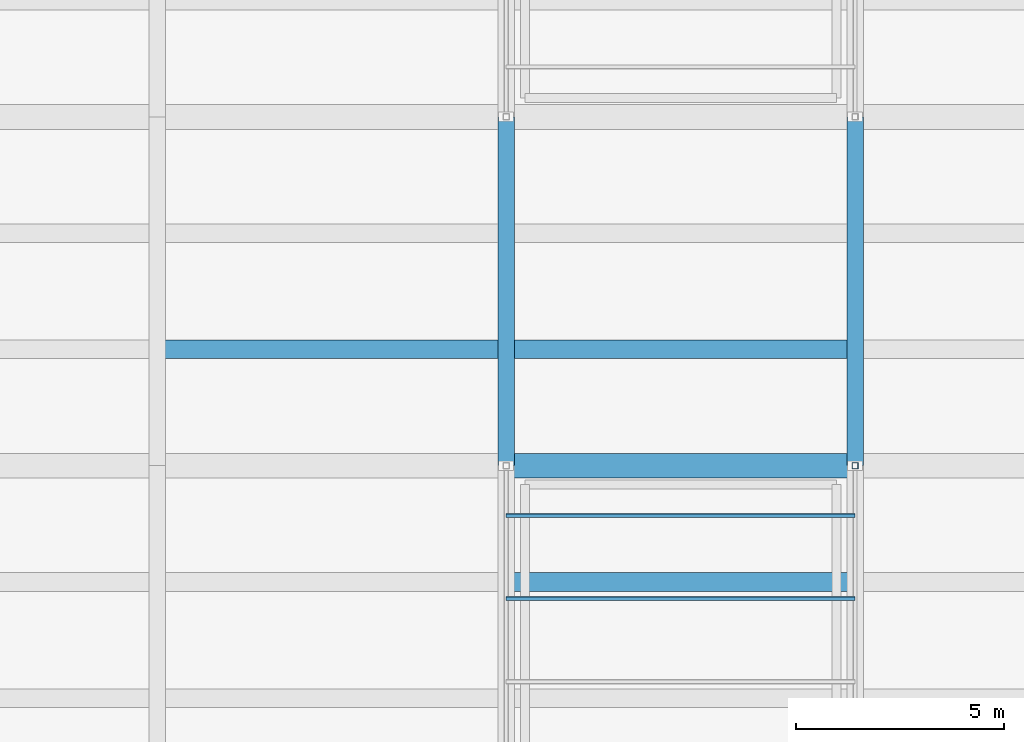
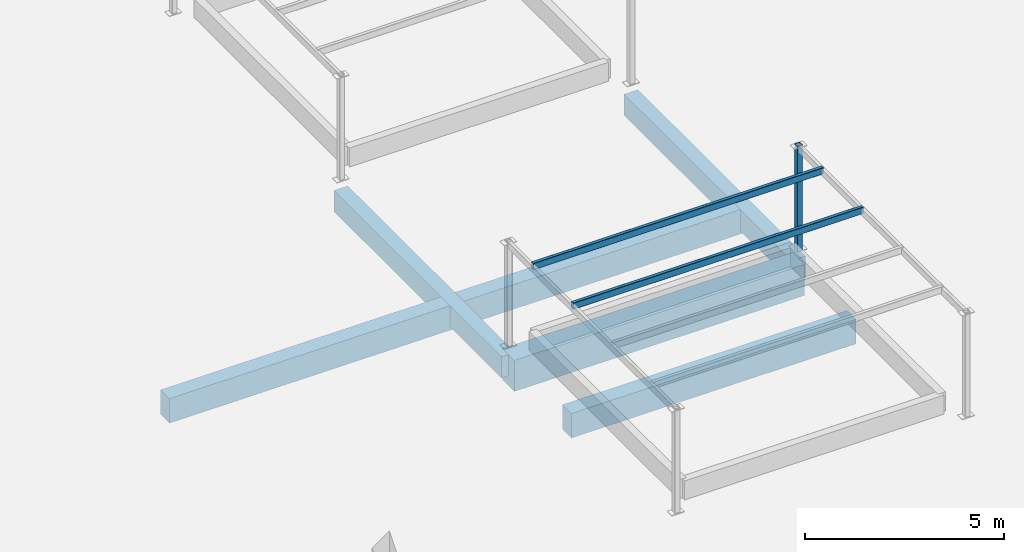
# One storey, part 12 of 129: 6 beams, 3 members.
"""IFC4 building model written with IfcOpenShell, lengths in metres."""

from ifc_helpers import new_model, si_unit, direction, frame, origin, origin_2d, place, context, subcontext, project, spatial, rectangle, hollow_rectangle, extrude, material, material_profile, profile_set, type_object, element, save


model = new_model("IFC4")

# Units and contexts
model_context = context("Model", 3, precision=1e-05, world=origin(), true_north=direction((0.0, 1.0)))
body_context = subcontext(model_context, "Body", "Model", "MODEL_VIEW")
ifc_project = project(units=[si_unit("LENGTHUNIT", "METRE"), si_unit("AREAUNIT", "SQUARE_METRE"), si_unit("VOLUMEUNIT", "CUBIC_METRE"), si_unit("PLANEANGLEUNIT", "RADIAN"), si_unit("MASSUNIT", "GRAM", prefix="KILO")], contexts=[model_context])

# Site, building, storey
site_placement = place(None, origin())
site = spatial("IfcSite", under=ifc_project, at=site_placement, CompositionType="ELEMENT")
building_placement = place(site_placement, origin())
building = spatial("IfcBuilding", under=site, at=building_placement, Name="Varnapada Polytechnic", CompositionType="ELEMENT")
storey_placement = place(building_placement, origin())
storey = spatial("IfcBuildingStorey", under=building, at=storey_placement, Name="L00", CompositionType="ELEMENT", Elevation=0.0)

# Beams
ifc_material_1 = material(Name="Concrete C40/50", Category="concrete")
ifc_material_profile_1 = material_profile(ifc_material_1, rectangle(XDim=0.449951171875, YDim=0.75, at=origin_2d()), Name="RC 450x750")
ifc_profile_set_1 = profile_set([ifc_material_profile_1], Name="Concrete C40/50")
beam_type_1 = type_object("IfcBeamType", Name="Basement/podium secondary beam BB-01 (RC 450x750)", PredefinedType="BEAM", material=ifc_profile_set_1)
beam_1_placement = place(storey_placement, frame((58.8798828125, 61.60009765625, -0.655029296875), z_axis=(1.0, 0.0, 0.0), x_axis=(0.0, 1.0, 0.0)))
element("IfcBeam", 1, at=beam_1_placement, inside=storey, type_object=beam_type_1, Name="L00 floor joist 8/8.1", PredefinedType="BEAM", context=body_context, shape_type="SweptSolid", body=[
    extrude(rectangle(XDim=0.449951171875, YDim=0.75, at=origin_2d()), origin(), (0.0, 0.0, 1.0), 8.240234375),
])
for number, where, z_axis, x_axis, name in (
    (2, (67.280029296875, 56.0, -0.655029296875), (1.0, 0.0, 0.0), (0.0, 1.0, 0.0), "L00 floor joist 9/7.2"),
    (3, (67.280029296875, 61.60009765625, -0.655029296875), (1.0, 0.0, 0.0), (0.0, 1.0, 0.0), "L00 floor joist 9/8.1"),
):
    element("IfcBeam", number, at=place(storey_placement, frame(where, z_axis=z_axis, x_axis=x_axis)), inside=storey, type_object=beam_type_1, Name=name, PredefinedType="BEAM", context=body_context, shape_type="SweptSolid", body=[
        extrude(rectangle(XDim=0.449951171875, YDim=0.75, at=origin_2d()), origin(), (0.0, 0.0, 1.0), 8.239990234375),
    ])

# Members
ifc_material_2 = material(Name="Steel S355", Category="steel")
ifc_material_profile_2 = material_profile(ifc_material_2, hollow_rectangle(XDim=0.10009765625, YDim=0.199951171875, WallThickness=0.00634765625, InnerFilletRadius=0.006103515625, OuterFilletRadius=0.011962890625, at=origin_2d()), Name="RHS 200x100x6.3")
ifc_profile_set_2 = profile_set([ifc_material_profile_2], Name="Steel S355")
member_type_1 = type_object("IfcMemberType", Name="Gable and library roof steel purlin PR-01 (RHS 200x100x6.3)", PredefinedType="PURLIN", material=ifc_profile_set_2)
for number, where, z_axis, x_axis, name in (
    (4, (67.199951171875, 55.60009765625, 3.159912109375), (1.0, 0.0, 0.0), (0.0, 1.0, 0.0), "Courtyard planted garden shade trellis CT-BED-1.3"),
    (5, (67.199951171875, 57.60009765625, 3.159912109375), (1.0, 0.0, 0.0), (0.0, 1.0, 0.0), "Courtyard planted garden shade trellis CT-BED-1.4"),
):
    element("IfcMember", number, at=place(storey_placement, frame(where, z_axis=z_axis, x_axis=x_axis)), inside=storey, type_object=member_type_1, Name=name, PredefinedType="PURLIN", context=body_context, shape_type="SweptSolid", body=[
        extrude(hollow_rectangle(XDim=0.10009765625, YDim=0.199951171875, WallThickness=0.00634765625, InnerFilletRadius=0.006103515625, OuterFilletRadius=0.011962890625, at=origin_2d()), origin(), (0.0, 0.0, 1.0), 8.400146484375),
    ])

# Beams
ifc_material_profile_3 = material_profile(ifc_material_1, rectangle(XDim=0.39990234375, YDim=0.64990234375, at=origin_2d()), Name="RC 400x650")
ifc_profile_set_3 = profile_set([ifc_material_profile_3], Name="Concrete C40/50")
beam_type_2 = type_object("IfcBeamType", Name="Podium framing beam BB-02 (RC 400x650)", PredefinedType="BEAM", material=ifc_profile_set_3)
for number, where, z_axis, x_axis, name in (
    (6, (67.199951171875, 58.800048828125, -0.60498046875), (0.0, 1.0, 0.0), (-1.0, 0.0, 0.0), "L00 beam Y 8-9 at X9"),
    (7, (75.60009765625, 58.800048828125, -0.60498046875), (0.0, 1.0, 0.0), (-1.0, 0.0, 0.0), "L00 beam Y 8-9 at X10"),
):
    element("IfcBeam", number, at=place(storey_placement, frame(where, z_axis=z_axis, x_axis=x_axis)), inside=storey, type_object=beam_type_2, Name=name, PredefinedType="BEAM", context=body_context, shape_type="SweptSolid", body=[
        extrude(rectangle(XDim=0.39990234375, YDim=0.64990234375, at=origin_2d()), origin(), (0.0, 0.0, 1.0), 8.39990234375),
    ])

# Member
ifc_material_profile_4 = material_profile(ifc_material_2, hollow_rectangle(XDim=0.14990234375, YDim=0.14990234375, WallThickness=0.00634765625, InnerFilletRadius=0.006103515625, OuterFilletRadius=0.011962890625, at=origin_2d()), Name="SHS 150x150x6.3")
ifc_profile_set_4 = profile_set([ifc_material_profile_4], Name="Steel S355")
member_type_2 = type_object("IfcMemberType", Name="Sawtooth north-light mullion post SFP-02 (SHS 150x150x6.3)", PredefinedType="POST", material=ifc_profile_set_4)
member_placement = place(storey_placement, frame((75.60009765625, 58.800048828125, -0.02001953125), z_axis=(0.0, 0.0, 1.0), x_axis=(1.0, 0.0, 0.0)))
element("IfcMember", 8, at=member_placement, inside=storey, type_object=member_type_2, Name="Courtyard planted garden trellis post CT-BED-1.2.2", PredefinedType="POST", context=body_context, shape_type="SweptSolid", body=[
    extrude(hollow_rectangle(XDim=0.14990234375, YDim=0.14990234375, WallThickness=0.00634765625, InnerFilletRadius=0.006103515625, OuterFilletRadius=0.011962890625, at=origin_2d()), origin(), (0.0, 0.0, 1.0), 3.239990234375),
])

# Beam
ifc_material_profile_5 = material_profile(ifc_material_1, rectangle(XDim=0.60009765625, YDim=0.949951171875, at=origin_2d()), Name="RC 600x950")
ifc_profile_set_5 = profile_set([ifc_material_profile_5], Name="Concrete C40/50")
beam_type_3 = type_object("IfcBeamType", Name="Workshop podium heavy girder BG-03 (RC 600x950)", PredefinedType="T_BEAM", material=ifc_profile_set_5)
beam_2_placement = place(storey_placement, frame((67.199951171875, 58.800048828125, -0.7548828125), z_axis=(1.0, 0.0, 0.0), x_axis=(0.0, 1.0, 0.0)))
element("IfcBeam", 9, at=beam_2_placement, inside=storey, type_object=beam_type_3, Name="L00 beam X 9-10 at Y8", PredefinedType="T_BEAM", context=body_context, shape_type="SweptSolid", body=[
    extrude(rectangle(XDim=0.60009765625, YDim=0.949951171875, at=origin_2d()), origin(), (0.0, 0.0, 1.0), 8.400146484375),
])

save(model, "model.ifc")
